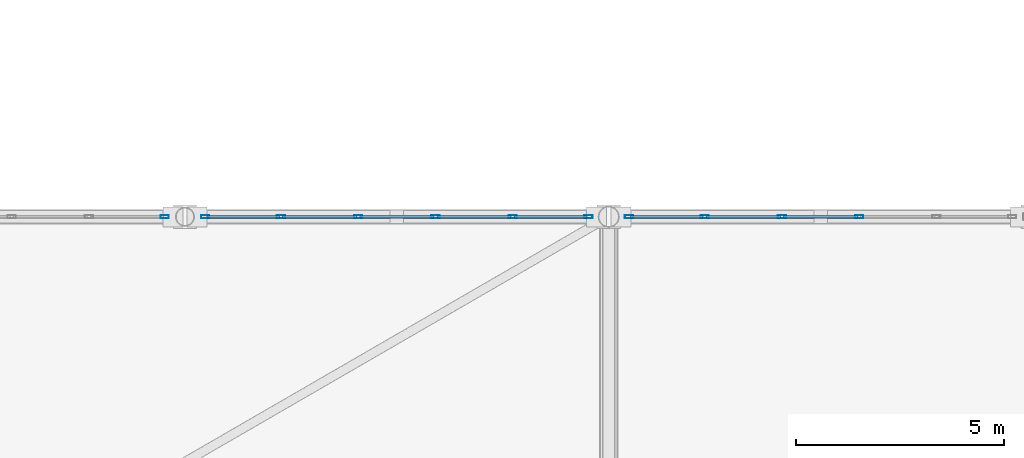
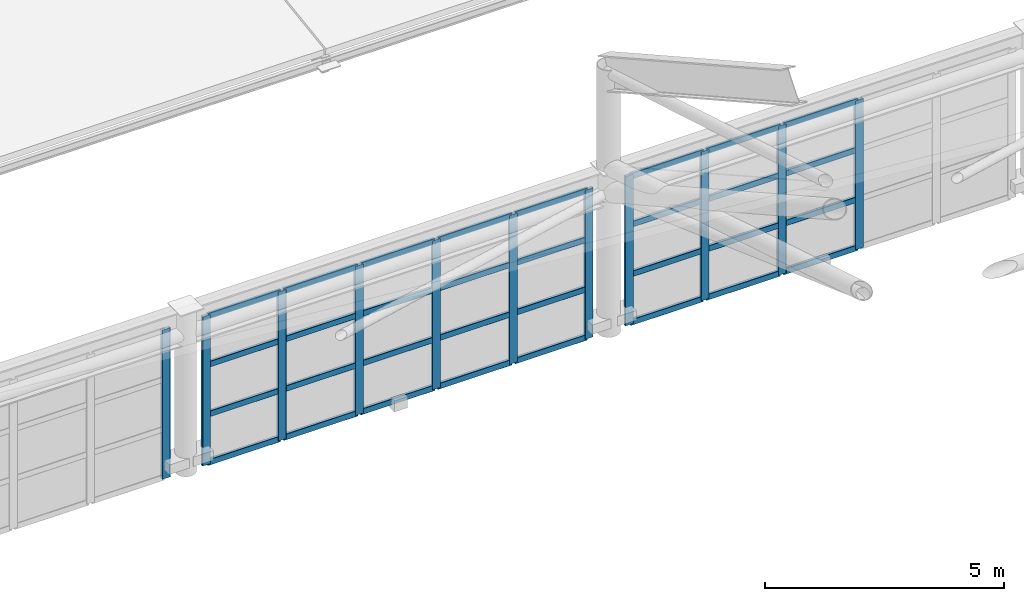
# One storey, part 79 of 135: 43 members, 3 elements without a shape of their own.
"""IFC4 building model written with IfcOpenShell, lengths in metres."""

from ifc_helpers import new_model, si_unit, direction, frame, origin, origin_2d, place, context, subcontext, project, spatial, hollow_rectangle, extrude, material, material_profile, profile_set, type_object, element, aggregate, save


model = new_model("IFC4")

# Units and contexts
model_context = context("Model", 3, precision=1e-05, world=origin(), true_north=direction((0.0, 1.0)))
body_context = subcontext(model_context, "Body", "Model", "MODEL_VIEW")
ifc_project = project(units=[si_unit("LENGTHUNIT", "METRE"), si_unit("AREAUNIT", "SQUARE_METRE"), si_unit("VOLUMEUNIT", "CUBIC_METRE"), si_unit("PLANEANGLEUNIT", "RADIAN"), si_unit("MASSUNIT", "GRAM", prefix="KILO")], contexts=[model_context])

# Site, building, storey
site_placement = place(None, origin())
site = spatial("IfcSite", under=ifc_project, at=site_placement, CompositionType="ELEMENT")
building_placement = place(site_placement, origin())
building = spatial("IfcBuilding", under=site, at=building_placement, Name="Brelvane Convention Centre", CompositionType="ELEMENT")
storey_placement = place(building_placement, frame((0.0, 0.0, 15.0)))
storey = spatial("IfcBuildingStorey", under=building, at=storey_placement, Name="L03", CompositionType="ELEMENT", Elevation=15.0)

# Curtain wall, member
ifc_material_1 = material(Name="Anodised Aluminium Alloy 6063-T6", Category="aluminium")
curtain_wall_type = type_object("IfcCurtainWallType", Name="Curtain Wall CW-PLEN-E", PredefinedType="USERDEFINED", material=ifc_material_1)
curtain_wall_1_placement = place(storey_placement, origin())
curtain_wall_1 = element("IfcCurtainWall", 1, at=curtain_wall_1_placement, inside=storey, type_object=curtain_wall_type, Name="Curtain Wall CW-PLEN-E L03-PLEN-N-CLER-3", ObjectType="UNITISED", PredefinedType="USERDEFINED")
ifc_material_2 = material(Name="Anodised Aluminium Alloy 6063-T6", Category="aluminium")
ifc_material_profile_1 = material_profile(ifc_material_2, hollow_rectangle(XDim=0.074951171875, YDim=0.199951171875, WallThickness=0.0048828125, InnerFilletRadius=0.0048828125, OuterFilletRadius=0.010009765625, at=origin_2d()), Name="ALU-M 200x75x5.0")
ifc_profile_set_1 = profile_set([ifc_material_profile_1], Name="Anodised Aluminium Alloy 6063-T6")
member_type_1 = type_object("IfcMemberType", Name="Curtain Mullion CW-M2", PredefinedType="MULLION", material=ifc_profile_set_1)
member_1_placement = place(storey_placement, frame((193.3125, 87.800048828125, 0.0), z_axis=(0.0, 0.0, 1.0), x_axis=(0.0, 1.0, 0.0)))
member_1 = element("IfcMember", 2, at=member_1_placement, type_object=member_type_1, Name="CW-PLEN-E mullion 6", PredefinedType="MULLION", context=body_context, shape_type="SweptSolid", body=[
    extrude(hollow_rectangle(XDim=0.074951171875, YDim=0.199951171875, WallThickness=0.0048828125, InnerFilletRadius=0.0048828125, OuterFilletRadius=0.010009765625, at=origin_2d()), origin(), (0.0, 0.0, 1.0), 3.800048828125),
])
aggregate(curtain_wall_1, [member_1])

# Curtain wall, members
curtain_wall_2_placement = place(storey_placement, origin())
curtain_wall_2 = element("IfcCurtainWall", 3, at=curtain_wall_2_placement, inside=storey, type_object=curtain_wall_type, Name="Curtain Wall CW-PLEN-E L03-PLEN-N-CLER-4", ObjectType="UNITISED", PredefinedType="USERDEFINED")
member_2_placement = place(storey_placement, frame((194.28759765625, 87.800048828125, 0.0), z_axis=(0.0, 0.0, 1.0), x_axis=(0.0, 1.0, 0.0)))
member_2 = element("IfcMember", 4, at=member_2_placement, type_object=member_type_1, Name="CW-PLEN-E mullion 1", PredefinedType="MULLION", context=body_context, shape_type="SweptSolid", body=[
    extrude(hollow_rectangle(XDim=0.074951171875, YDim=0.199951171875, WallThickness=0.0048828125, InnerFilletRadius=0.0048828125, OuterFilletRadius=0.010009765625, at=origin_2d()), origin(), (0.0, 0.0, 1.0), 3.800048828125),
])
member_3_placement = place(storey_placement, frame((196.110107421875, 87.800048828125, 0.0), z_axis=(0.0, 0.0, 1.0), x_axis=(0.0, 1.0, 0.0)))
member_3 = element("IfcMember", 5, at=member_3_placement, type_object=member_type_1, Name="CW-PLEN-E mullion 2", PredefinedType="MULLION", context=body_context, shape_type="SweptSolid", body=[
    extrude(hollow_rectangle(XDim=0.074951171875, YDim=0.199951171875, WallThickness=0.0048828125, InnerFilletRadius=0.0048828125, OuterFilletRadius=0.010009765625, at=origin_2d()), origin(), (0.0, 0.0, 1.0), 3.800048828125),
])
member_4_placement = place(storey_placement, frame((197.969970703125, 87.800048828125, 0.0), z_axis=(0.0, 0.0, 1.0), x_axis=(0.0, 1.0, 0.0)))
member_4 = element("IfcMember", 6, at=member_4_placement, type_object=member_type_1, Name="CW-PLEN-E mullion 3", PredefinedType="MULLION", context=body_context, shape_type="SweptSolid", body=[
    extrude(hollow_rectangle(XDim=0.074951171875, YDim=0.199951171875, WallThickness=0.0048828125, InnerFilletRadius=0.0048828125, OuterFilletRadius=0.010009765625, at=origin_2d()), origin(), (0.0, 0.0, 1.0), 3.800048828125),
])
member_5_placement = place(storey_placement, frame((199.830078125, 87.800048828125, 0.0), z_axis=(0.0, 0.0, 1.0), x_axis=(0.0, 1.0, 0.0)))
member_5 = element("IfcMember", 7, at=member_5_placement, type_object=member_type_1, Name="CW-PLEN-E mullion 4", PredefinedType="MULLION", context=body_context, shape_type="SweptSolid", body=[
    extrude(hollow_rectangle(XDim=0.074951171875, YDim=0.199951171875, WallThickness=0.0048828125, InnerFilletRadius=0.0048828125, OuterFilletRadius=0.010009765625, at=origin_2d()), origin(), (0.0, 0.0, 1.0), 3.800048828125),
])
member_6_placement = place(storey_placement, frame((201.68994140625, 87.800048828125, 0.0), z_axis=(0.0, 0.0, 1.0), x_axis=(0.0, 1.0, 0.0)))
member_6 = element("IfcMember", 8, at=member_6_placement, type_object=member_type_1, Name="CW-PLEN-E mullion 5", PredefinedType="MULLION", context=body_context, shape_type="SweptSolid", body=[
    extrude(hollow_rectangle(XDim=0.074951171875, YDim=0.199951171875, WallThickness=0.0048828125, InnerFilletRadius=0.0048828125, OuterFilletRadius=0.010009765625, at=origin_2d()), origin(), (0.0, 0.0, 1.0), 3.800048828125),
])
member_7_placement = place(storey_placement, frame((203.512451171875, 87.800048828125, 0.0), z_axis=(0.0, 0.0, 1.0), x_axis=(0.0, 1.0, 0.0)))
member_7 = element("IfcMember", 9, at=member_7_placement, type_object=member_type_1, Name="CW-PLEN-E mullion 6", PredefinedType="MULLION", context=body_context, shape_type="SweptSolid", body=[
    extrude(hollow_rectangle(XDim=0.074951171875, YDim=0.199951171875, WallThickness=0.0048828125, InnerFilletRadius=0.0048828125, OuterFilletRadius=0.010009765625, at=origin_2d()), origin(), (0.0, 0.0, 1.0), 3.800048828125),
])

curtain_wall_3_placement = place(storey_placement, origin())
curtain_wall_3 = element("IfcCurtainWall", 10, at=curtain_wall_3_placement, inside=storey, type_object=curtain_wall_type, Name="Curtain Wall CW-PLEN-E L03-PLEN-N-CLER-5", ObjectType="UNITISED", PredefinedType="USERDEFINED")
member_8_placement = place(storey_placement, frame((204.487548828125, 87.800048828125, 0.0), z_axis=(0.0, 0.0, 1.0), x_axis=(0.0, 1.0, 0.0)))
member_8 = element("IfcMember", 11, at=member_8_placement, type_object=member_type_1, Name="CW-PLEN-E mullion 1", PredefinedType="MULLION", context=body_context, shape_type="SweptSolid", body=[
    extrude(hollow_rectangle(XDim=0.074951171875, YDim=0.199951171875, WallThickness=0.0048828125, InnerFilletRadius=0.0048828125, OuterFilletRadius=0.010009765625, at=origin_2d()), origin(), (0.0, 0.0, 1.0), 3.800048828125),
])
member_9_placement = place(storey_placement, frame((206.31005859375, 87.800048828125, 0.0), z_axis=(0.0, 0.0, 1.0), x_axis=(0.0, 1.0, 0.0)))
member_9 = element("IfcMember", 12, at=member_9_placement, type_object=member_type_1, Name="CW-PLEN-E mullion 2", PredefinedType="MULLION", context=body_context, shape_type="SweptSolid", body=[
    extrude(hollow_rectangle(XDim=0.074951171875, YDim=0.199951171875, WallThickness=0.0048828125, InnerFilletRadius=0.0048828125, OuterFilletRadius=0.010009765625, at=origin_2d()), origin(), (0.0, 0.0, 1.0), 3.800048828125),
])
member_10_placement = place(storey_placement, frame((208.169921875, 87.800048828125, 0.0), z_axis=(0.0, 0.0, 1.0), x_axis=(0.0, 1.0, 0.0)))
member_10 = element("IfcMember", 13, at=member_10_placement, type_object=member_type_1, Name="CW-PLEN-E mullion 3", PredefinedType="MULLION", context=body_context, shape_type="SweptSolid", body=[
    extrude(hollow_rectangle(XDim=0.074951171875, YDim=0.199951171875, WallThickness=0.0048828125, InnerFilletRadius=0.0048828125, OuterFilletRadius=0.010009765625, at=origin_2d()), origin(), (0.0, 0.0, 1.0), 3.800048828125),
])
member_11_placement = place(storey_placement, frame((210.030029296875, 87.800048828125, 0.0), z_axis=(0.0, 0.0, 1.0), x_axis=(0.0, 1.0, 0.0)))
member_11 = element("IfcMember", 14, at=member_11_placement, type_object=member_type_1, Name="CW-PLEN-E mullion 4", PredefinedType="MULLION", context=body_context, shape_type="SweptSolid", body=[
    extrude(hollow_rectangle(XDim=0.074951171875, YDim=0.199951171875, WallThickness=0.0048828125, InnerFilletRadius=0.0048828125, OuterFilletRadius=0.010009765625, at=origin_2d()), origin(), (0.0, 0.0, 1.0), 3.800048828125),
])

# Member
ifc_material_3 = material(Name="Anodised Aluminium Alloy 6063-T6", Category="aluminium")
ifc_material_profile_2 = material_profile(ifc_material_3, hollow_rectangle(XDim=0.070068359375, YDim=0.14990234375, WallThickness=0.00439453125, InnerFilletRadius=0.00439453125, OuterFilletRadius=0.009033203125, at=origin_2d()), Name="ALU-T 150x70x4.5")
ifc_profile_set_2 = profile_set([ifc_material_profile_2], Name="Anodised Aluminium Alloy 6063-T6")
member_type_2 = type_object("IfcMemberType", Name="Curtain Transom CW-T2", PredefinedType="USERDEFINED", material=ifc_profile_set_2)
member_12_placement = place(storey_placement, frame((194.324951171875, 87.800048828125, 0.034912109375), z_axis=(1.0, 0.0, 0.0), x_axis=(0.0, 1.0, 0.0)))
member_12 = element("IfcMember", 15, at=member_12_placement, type_object=member_type_2, Name="CW-PLEN-E transom 1.1", ObjectType="TRANSOM", PredefinedType="USERDEFINED", context=body_context, shape_type="SweptSolid", body=[
    extrude(hollow_rectangle(XDim=0.070068359375, YDim=0.14990234375, WallThickness=0.00439453125, InnerFilletRadius=0.00439453125, OuterFilletRadius=0.009033203125, at=origin_2d()), origin(), (0.0, 0.0, 1.0), 1.74755859375),
])

member_13_placement = place(storey_placement, frame((194.324951171875, 87.800048828125, 1.2666015625), z_axis=(1.0, 0.0, 0.0), x_axis=(0.0, 1.0, 0.0)))
member_13 = element("IfcMember", 16, at=member_13_placement, type_object=member_type_2, Name="CW-PLEN-E transom 1.2", ObjectType="TRANSOM", PredefinedType="USERDEFINED", context=body_context, shape_type="SweptSolid", body=[
    extrude(hollow_rectangle(XDim=0.070068359375, YDim=0.14990234375, WallThickness=0.00439453125, InnerFilletRadius=0.00439453125, OuterFilletRadius=0.009033203125, at=origin_2d()), origin(), (0.0, 0.0, 1.0), 1.74755859375),
])

member_14_placement = place(storey_placement, frame((194.324951171875, 87.800048828125, 2.533203125), z_axis=(1.0, 0.0, 0.0), x_axis=(0.0, 1.0, 0.0)))
member_14 = element("IfcMember", 17, at=member_14_placement, type_object=member_type_2, Name="CW-PLEN-E transom 1.3", ObjectType="TRANSOM", PredefinedType="USERDEFINED", context=body_context, shape_type="SweptSolid", body=[
    extrude(hollow_rectangle(XDim=0.070068359375, YDim=0.14990234375, WallThickness=0.00439453125, InnerFilletRadius=0.00439453125, OuterFilletRadius=0.009033203125, at=origin_2d()), origin(), (0.0, 0.0, 1.0), 1.74755859375),
])

member_15_placement = place(storey_placement, frame((194.324951171875, 87.800048828125, 3.764892578125), z_axis=(1.0, 0.0, 0.0), x_axis=(0.0, 1.0, 0.0)))
member_15 = element("IfcMember", 18, at=member_15_placement, type_object=member_type_2, Name="CW-PLEN-E transom 1.4", ObjectType="TRANSOM", PredefinedType="USERDEFINED", context=body_context, shape_type="SweptSolid", body=[
    extrude(hollow_rectangle(XDim=0.070068359375, YDim=0.14990234375, WallThickness=0.00439453125, InnerFilletRadius=0.00439453125, OuterFilletRadius=0.009033203125, at=origin_2d()), origin(), (0.0, 0.0, 1.0), 1.74755859375),
])

member_16_placement = place(storey_placement, frame((196.1474609375, 87.800048828125, 0.034912109375), z_axis=(1.0, 0.0, 0.0), x_axis=(0.0, 1.0, 0.0)))
member_16 = element("IfcMember", 19, at=member_16_placement, type_object=member_type_2, Name="CW-PLEN-E transom 2.1", ObjectType="TRANSOM", PredefinedType="USERDEFINED", context=body_context, shape_type="SweptSolid", body=[
    extrude(hollow_rectangle(XDim=0.070068359375, YDim=0.14990234375, WallThickness=0.00439453125, InnerFilletRadius=0.00439453125, OuterFilletRadius=0.009033203125, at=origin_2d()), origin(), (0.0, 0.0, 1.0), 1.78515625),
])

member_17_placement = place(storey_placement, frame((196.1474609375, 87.800048828125, 1.2666015625), z_axis=(1.0, 0.0, 0.0), x_axis=(0.0, 1.0, 0.0)))
member_17 = element("IfcMember", 20, at=member_17_placement, type_object=member_type_2, Name="CW-PLEN-E transom 2.2", ObjectType="TRANSOM", PredefinedType="USERDEFINED", context=body_context, shape_type="SweptSolid", body=[
    extrude(hollow_rectangle(XDim=0.070068359375, YDim=0.14990234375, WallThickness=0.00439453125, InnerFilletRadius=0.00439453125, OuterFilletRadius=0.009033203125, at=origin_2d()), origin(), (0.0, 0.0, 1.0), 1.78515625),
])

member_18_placement = place(storey_placement, frame((196.1474609375, 87.800048828125, 2.533203125), z_axis=(1.0, 0.0, 0.0), x_axis=(0.0, 1.0, 0.0)))
member_18 = element("IfcMember", 21, at=member_18_placement, type_object=member_type_2, Name="CW-PLEN-E transom 2.3", ObjectType="TRANSOM", PredefinedType="USERDEFINED", context=body_context, shape_type="SweptSolid", body=[
    extrude(hollow_rectangle(XDim=0.070068359375, YDim=0.14990234375, WallThickness=0.00439453125, InnerFilletRadius=0.00439453125, OuterFilletRadius=0.009033203125, at=origin_2d()), origin(), (0.0, 0.0, 1.0), 1.78515625),
])

member_19_placement = place(storey_placement, frame((196.1474609375, 87.800048828125, 3.764892578125), z_axis=(1.0, 0.0, 0.0), x_axis=(0.0, 1.0, 0.0)))
member_19 = element("IfcMember", 22, at=member_19_placement, type_object=member_type_2, Name="CW-PLEN-E transom 2.4", ObjectType="TRANSOM", PredefinedType="USERDEFINED", context=body_context, shape_type="SweptSolid", body=[
    extrude(hollow_rectangle(XDim=0.070068359375, YDim=0.14990234375, WallThickness=0.00439453125, InnerFilletRadius=0.00439453125, OuterFilletRadius=0.009033203125, at=origin_2d()), origin(), (0.0, 0.0, 1.0), 1.78515625),
])

member_20_placement = place(storey_placement, frame((198.007568359375, 87.800048828125, 0.034912109375), z_axis=(1.0, 0.0, 0.0), x_axis=(0.0, 1.0, 0.0)))
member_20 = element("IfcMember", 23, at=member_20_placement, type_object=member_type_2, Name="CW-PLEN-E transom 3.1", ObjectType="TRANSOM", PredefinedType="USERDEFINED", context=body_context, shape_type="SweptSolid", body=[
    extrude(hollow_rectangle(XDim=0.070068359375, YDim=0.14990234375, WallThickness=0.00439453125, InnerFilletRadius=0.00439453125, OuterFilletRadius=0.009033203125, at=origin_2d()), origin(), (0.0, 0.0, 1.0), 1.784912109375),
])

member_21_placement = place(storey_placement, frame((198.007568359375, 87.800048828125, 1.2666015625), z_axis=(1.0, 0.0, 0.0), x_axis=(0.0, 1.0, 0.0)))
member_21 = element("IfcMember", 24, at=member_21_placement, type_object=member_type_2, Name="CW-PLEN-E transom 3.2", ObjectType="TRANSOM", PredefinedType="USERDEFINED", context=body_context, shape_type="SweptSolid", body=[
    extrude(hollow_rectangle(XDim=0.070068359375, YDim=0.14990234375, WallThickness=0.00439453125, InnerFilletRadius=0.00439453125, OuterFilletRadius=0.009033203125, at=origin_2d()), origin(), (0.0, 0.0, 1.0), 1.784912109375),
])

member_22_placement = place(storey_placement, frame((198.007568359375, 87.800048828125, 2.533203125), z_axis=(1.0, 0.0, 0.0), x_axis=(0.0, 1.0, 0.0)))
member_22 = element("IfcMember", 25, at=member_22_placement, type_object=member_type_2, Name="CW-PLEN-E transom 3.3", ObjectType="TRANSOM", PredefinedType="USERDEFINED", context=body_context, shape_type="SweptSolid", body=[
    extrude(hollow_rectangle(XDim=0.070068359375, YDim=0.14990234375, WallThickness=0.00439453125, InnerFilletRadius=0.00439453125, OuterFilletRadius=0.009033203125, at=origin_2d()), origin(), (0.0, 0.0, 1.0), 1.784912109375),
])

member_23_placement = place(storey_placement, frame((198.007568359375, 87.800048828125, 3.764892578125), z_axis=(1.0, 0.0, 0.0), x_axis=(0.0, 1.0, 0.0)))
member_23 = element("IfcMember", 26, at=member_23_placement, type_object=member_type_2, Name="CW-PLEN-E transom 3.4", ObjectType="TRANSOM", PredefinedType="USERDEFINED", context=body_context, shape_type="SweptSolid", body=[
    extrude(hollow_rectangle(XDim=0.070068359375, YDim=0.14990234375, WallThickness=0.00439453125, InnerFilletRadius=0.00439453125, OuterFilletRadius=0.009033203125, at=origin_2d()), origin(), (0.0, 0.0, 1.0), 1.784912109375),
])

member_24_placement = place(storey_placement, frame((199.867431640625, 87.800048828125, 0.034912109375), z_axis=(1.0, 0.0, 0.0), x_axis=(0.0, 1.0, 0.0)))
member_24 = element("IfcMember", 27, at=member_24_placement, type_object=member_type_2, Name="CW-PLEN-E transom 4.1", ObjectType="TRANSOM", PredefinedType="USERDEFINED", context=body_context, shape_type="SweptSolid", body=[
    extrude(hollow_rectangle(XDim=0.070068359375, YDim=0.14990234375, WallThickness=0.00439453125, InnerFilletRadius=0.00439453125, OuterFilletRadius=0.009033203125, at=origin_2d()), origin(), (0.0, 0.0, 1.0), 1.78515625),
])

member_25_placement = place(storey_placement, frame((199.867431640625, 87.800048828125, 1.2666015625), z_axis=(1.0, 0.0, 0.0), x_axis=(0.0, 1.0, 0.0)))
member_25 = element("IfcMember", 28, at=member_25_placement, type_object=member_type_2, Name="CW-PLEN-E transom 4.2", ObjectType="TRANSOM", PredefinedType="USERDEFINED", context=body_context, shape_type="SweptSolid", body=[
    extrude(hollow_rectangle(XDim=0.070068359375, YDim=0.14990234375, WallThickness=0.00439453125, InnerFilletRadius=0.00439453125, OuterFilletRadius=0.009033203125, at=origin_2d()), origin(), (0.0, 0.0, 1.0), 1.78515625),
])

member_26_placement = place(storey_placement, frame((199.867431640625, 87.800048828125, 2.533203125), z_axis=(1.0, 0.0, 0.0), x_axis=(0.0, 1.0, 0.0)))
member_26 = element("IfcMember", 29, at=member_26_placement, type_object=member_type_2, Name="CW-PLEN-E transom 4.3", ObjectType="TRANSOM", PredefinedType="USERDEFINED", context=body_context, shape_type="SweptSolid", body=[
    extrude(hollow_rectangle(XDim=0.070068359375, YDim=0.14990234375, WallThickness=0.00439453125, InnerFilletRadius=0.00439453125, OuterFilletRadius=0.009033203125, at=origin_2d()), origin(), (0.0, 0.0, 1.0), 1.78515625),
])

member_27_placement = place(storey_placement, frame((199.867431640625, 87.800048828125, 3.764892578125), z_axis=(1.0, 0.0, 0.0), x_axis=(0.0, 1.0, 0.0)))
member_27 = element("IfcMember", 30, at=member_27_placement, type_object=member_type_2, Name="CW-PLEN-E transom 4.4", ObjectType="TRANSOM", PredefinedType="USERDEFINED", context=body_context, shape_type="SweptSolid", body=[
    extrude(hollow_rectangle(XDim=0.070068359375, YDim=0.14990234375, WallThickness=0.00439453125, InnerFilletRadius=0.00439453125, OuterFilletRadius=0.009033203125, at=origin_2d()), origin(), (0.0, 0.0, 1.0), 1.78515625),
])

member_28_placement = place(storey_placement, frame((201.7275390625, 87.800048828125, 0.034912109375), z_axis=(1.0, 0.0, 0.0), x_axis=(0.0, 1.0, 0.0)))
member_28 = element("IfcMember", 31, at=member_28_placement, type_object=member_type_2, Name="CW-PLEN-E transom 5.1", ObjectType="TRANSOM", PredefinedType="USERDEFINED", context=body_context, shape_type="SweptSolid", body=[
    extrude(hollow_rectangle(XDim=0.070068359375, YDim=0.14990234375, WallThickness=0.00439453125, InnerFilletRadius=0.00439453125, OuterFilletRadius=0.009033203125, at=origin_2d()), origin(), (0.0, 0.0, 1.0), 1.74755859375),
])

member_29_placement = place(storey_placement, frame((201.7275390625, 87.800048828125, 1.2666015625), z_axis=(1.0, 0.0, 0.0), x_axis=(0.0, 1.0, 0.0)))
member_29 = element("IfcMember", 32, at=member_29_placement, type_object=member_type_2, Name="CW-PLEN-E transom 5.2", ObjectType="TRANSOM", PredefinedType="USERDEFINED", context=body_context, shape_type="SweptSolid", body=[
    extrude(hollow_rectangle(XDim=0.070068359375, YDim=0.14990234375, WallThickness=0.00439453125, InnerFilletRadius=0.00439453125, OuterFilletRadius=0.009033203125, at=origin_2d()), origin(), (0.0, 0.0, 1.0), 1.74755859375),
])

member_30_placement = place(storey_placement, frame((201.7275390625, 87.800048828125, 2.533203125), z_axis=(1.0, 0.0, 0.0), x_axis=(0.0, 1.0, 0.0)))
member_30 = element("IfcMember", 33, at=member_30_placement, type_object=member_type_2, Name="CW-PLEN-E transom 5.3", ObjectType="TRANSOM", PredefinedType="USERDEFINED", context=body_context, shape_type="SweptSolid", body=[
    extrude(hollow_rectangle(XDim=0.070068359375, YDim=0.14990234375, WallThickness=0.00439453125, InnerFilletRadius=0.00439453125, OuterFilletRadius=0.009033203125, at=origin_2d()), origin(), (0.0, 0.0, 1.0), 1.74755859375),
])

member_31_placement = place(storey_placement, frame((201.7275390625, 87.800048828125, 3.764892578125), z_axis=(1.0, 0.0, 0.0), x_axis=(0.0, 1.0, 0.0)))
member_31 = element("IfcMember", 34, at=member_31_placement, type_object=member_type_2, Name="CW-PLEN-E transom 5.4", ObjectType="TRANSOM", PredefinedType="USERDEFINED", context=body_context, shape_type="SweptSolid", body=[
    extrude(hollow_rectangle(XDim=0.070068359375, YDim=0.14990234375, WallThickness=0.00439453125, InnerFilletRadius=0.00439453125, OuterFilletRadius=0.009033203125, at=origin_2d()), origin(), (0.0, 0.0, 1.0), 1.74755859375),
])

aggregate(curtain_wall_2, [member_2, member_3, member_4, member_5, member_6, member_7, member_12, member_13, member_14, member_15, member_16, member_17, member_18, member_19, member_20, member_21, member_22, member_23, member_24, member_25, member_26, member_27, member_28, member_29, member_30, member_31])

member_32_placement = place(storey_placement, frame((204.52490234375, 87.800048828125, 0.034912109375), z_axis=(1.0, 0.0, 0.0), x_axis=(0.0, 1.0, 0.0)))
member_32 = element("IfcMember", 35, at=member_32_placement, type_object=member_type_2, Name="CW-PLEN-E transom 1.1", ObjectType="TRANSOM", PredefinedType="USERDEFINED", context=body_context, shape_type="SweptSolid", body=[
    extrude(hollow_rectangle(XDim=0.070068359375, YDim=0.14990234375, WallThickness=0.00439453125, InnerFilletRadius=0.00439453125, OuterFilletRadius=0.009033203125, at=origin_2d()), origin(), (0.0, 0.0, 1.0), 1.74755859375),
])

member_33_placement = place(storey_placement, frame((204.52490234375, 87.800048828125, 1.2666015625), z_axis=(1.0, 0.0, 0.0), x_axis=(0.0, 1.0, 0.0)))
member_33 = element("IfcMember", 36, at=member_33_placement, type_object=member_type_2, Name="CW-PLEN-E transom 1.2", ObjectType="TRANSOM", PredefinedType="USERDEFINED", context=body_context, shape_type="SweptSolid", body=[
    extrude(hollow_rectangle(XDim=0.070068359375, YDim=0.14990234375, WallThickness=0.00439453125, InnerFilletRadius=0.00439453125, OuterFilletRadius=0.009033203125, at=origin_2d()), origin(), (0.0, 0.0, 1.0), 1.74755859375),
])

member_34_placement = place(storey_placement, frame((204.52490234375, 87.800048828125, 2.533203125), z_axis=(1.0, 0.0, 0.0), x_axis=(0.0, 1.0, 0.0)))
member_34 = element("IfcMember", 37, at=member_34_placement, type_object=member_type_2, Name="CW-PLEN-E transom 1.3", ObjectType="TRANSOM", PredefinedType="USERDEFINED", context=body_context, shape_type="SweptSolid", body=[
    extrude(hollow_rectangle(XDim=0.070068359375, YDim=0.14990234375, WallThickness=0.00439453125, InnerFilletRadius=0.00439453125, OuterFilletRadius=0.009033203125, at=origin_2d()), origin(), (0.0, 0.0, 1.0), 1.74755859375),
])

member_35_placement = place(storey_placement, frame((204.52490234375, 87.800048828125, 3.764892578125), z_axis=(1.0, 0.0, 0.0), x_axis=(0.0, 1.0, 0.0)))
member_35 = element("IfcMember", 38, at=member_35_placement, type_object=member_type_2, Name="CW-PLEN-E transom 1.4", ObjectType="TRANSOM", PredefinedType="USERDEFINED", context=body_context, shape_type="SweptSolid", body=[
    extrude(hollow_rectangle(XDim=0.070068359375, YDim=0.14990234375, WallThickness=0.00439453125, InnerFilletRadius=0.00439453125, OuterFilletRadius=0.009033203125, at=origin_2d()), origin(), (0.0, 0.0, 1.0), 1.74755859375),
])

member_36_placement = place(storey_placement, frame((206.347412109375, 87.800048828125, 0.034912109375), z_axis=(1.0, 0.0, 0.0), x_axis=(0.0, 1.0, 0.0)))
member_36 = element("IfcMember", 39, at=member_36_placement, type_object=member_type_2, Name="CW-PLEN-E transom 2.1", ObjectType="TRANSOM", PredefinedType="USERDEFINED", context=body_context, shape_type="SweptSolid", body=[
    extrude(hollow_rectangle(XDim=0.070068359375, YDim=0.14990234375, WallThickness=0.00439453125, InnerFilletRadius=0.00439453125, OuterFilletRadius=0.009033203125, at=origin_2d()), origin(), (0.0, 0.0, 1.0), 1.78515625),
])

member_37_placement = place(storey_placement, frame((206.347412109375, 87.800048828125, 1.2666015625), z_axis=(1.0, 0.0, 0.0), x_axis=(0.0, 1.0, 0.0)))
member_37 = element("IfcMember", 40, at=member_37_placement, type_object=member_type_2, Name="CW-PLEN-E transom 2.2", ObjectType="TRANSOM", PredefinedType="USERDEFINED", context=body_context, shape_type="SweptSolid", body=[
    extrude(hollow_rectangle(XDim=0.070068359375, YDim=0.14990234375, WallThickness=0.00439453125, InnerFilletRadius=0.00439453125, OuterFilletRadius=0.009033203125, at=origin_2d()), origin(), (0.0, 0.0, 1.0), 1.78515625),
])

member_38_placement = place(storey_placement, frame((206.347412109375, 87.800048828125, 2.533203125), z_axis=(1.0, 0.0, 0.0), x_axis=(0.0, 1.0, 0.0)))
member_38 = element("IfcMember", 41, at=member_38_placement, type_object=member_type_2, Name="CW-PLEN-E transom 2.3", ObjectType="TRANSOM", PredefinedType="USERDEFINED", context=body_context, shape_type="SweptSolid", body=[
    extrude(hollow_rectangle(XDim=0.070068359375, YDim=0.14990234375, WallThickness=0.00439453125, InnerFilletRadius=0.00439453125, OuterFilletRadius=0.009033203125, at=origin_2d()), origin(), (0.0, 0.0, 1.0), 1.78515625),
])

member_39_placement = place(storey_placement, frame((206.347412109375, 87.800048828125, 3.764892578125), z_axis=(1.0, 0.0, 0.0), x_axis=(0.0, 1.0, 0.0)))
member_39 = element("IfcMember", 42, at=member_39_placement, type_object=member_type_2, Name="CW-PLEN-E transom 2.4", ObjectType="TRANSOM", PredefinedType="USERDEFINED", context=body_context, shape_type="SweptSolid", body=[
    extrude(hollow_rectangle(XDim=0.070068359375, YDim=0.14990234375, WallThickness=0.00439453125, InnerFilletRadius=0.00439453125, OuterFilletRadius=0.009033203125, at=origin_2d()), origin(), (0.0, 0.0, 1.0), 1.78515625),
])

member_40_placement = place(storey_placement, frame((208.20751953125, 87.800048828125, 0.034912109375), z_axis=(1.0, 0.0, 0.0), x_axis=(0.0, 1.0, 0.0)))
member_40 = element("IfcMember", 43, at=member_40_placement, type_object=member_type_2, Name="CW-PLEN-E transom 3.1", ObjectType="TRANSOM", PredefinedType="USERDEFINED", context=body_context, shape_type="SweptSolid", body=[
    extrude(hollow_rectangle(XDim=0.070068359375, YDim=0.14990234375, WallThickness=0.00439453125, InnerFilletRadius=0.00439453125, OuterFilletRadius=0.009033203125, at=origin_2d()), origin(), (0.0, 0.0, 1.0), 1.784912109375),
])

member_41_placement = place(storey_placement, frame((208.20751953125, 87.800048828125, 1.2666015625), z_axis=(1.0, 0.0, 0.0), x_axis=(0.0, 1.0, 0.0)))
member_41 = element("IfcMember", 44, at=member_41_placement, type_object=member_type_2, Name="CW-PLEN-E transom 3.2", ObjectType="TRANSOM", PredefinedType="USERDEFINED", context=body_context, shape_type="SweptSolid", body=[
    extrude(hollow_rectangle(XDim=0.070068359375, YDim=0.14990234375, WallThickness=0.00439453125, InnerFilletRadius=0.00439453125, OuterFilletRadius=0.009033203125, at=origin_2d()), origin(), (0.0, 0.0, 1.0), 1.784912109375),
])

member_42_placement = place(storey_placement, frame((208.20751953125, 87.800048828125, 2.533203125), z_axis=(1.0, 0.0, 0.0), x_axis=(0.0, 1.0, 0.0)))
member_42 = element("IfcMember", 45, at=member_42_placement, type_object=member_type_2, Name="CW-PLEN-E transom 3.3", ObjectType="TRANSOM", PredefinedType="USERDEFINED", context=body_context, shape_type="SweptSolid", body=[
    extrude(hollow_rectangle(XDim=0.070068359375, YDim=0.14990234375, WallThickness=0.00439453125, InnerFilletRadius=0.00439453125, OuterFilletRadius=0.009033203125, at=origin_2d()), origin(), (0.0, 0.0, 1.0), 1.784912109375),
])

member_43_placement = place(storey_placement, frame((208.20751953125, 87.800048828125, 3.764892578125), z_axis=(1.0, 0.0, 0.0), x_axis=(0.0, 1.0, 0.0)))
member_43 = element("IfcMember", 46, at=member_43_placement, type_object=member_type_2, Name="CW-PLEN-E transom 3.4", ObjectType="TRANSOM", PredefinedType="USERDEFINED", context=body_context, shape_type="SweptSolid", body=[
    extrude(hollow_rectangle(XDim=0.070068359375, YDim=0.14990234375, WallThickness=0.00439453125, InnerFilletRadius=0.00439453125, OuterFilletRadius=0.009033203125, at=origin_2d()), origin(), (0.0, 0.0, 1.0), 1.784912109375),
])

aggregate(curtain_wall_3, [member_8, member_9, member_10, member_11, member_32, member_33, member_34, member_35, member_36, member_37, member_38, member_39, member_40, member_41, member_42, member_43])

save(model, "model.ifc")
